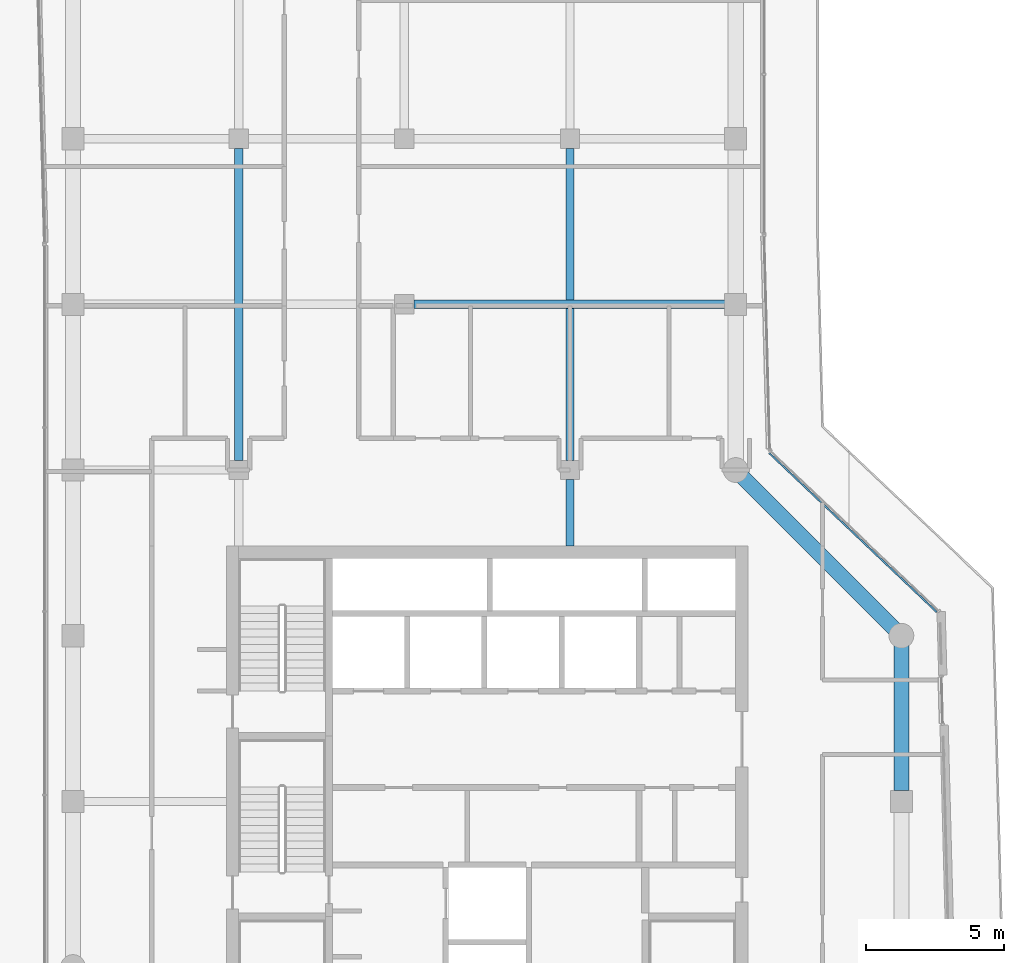
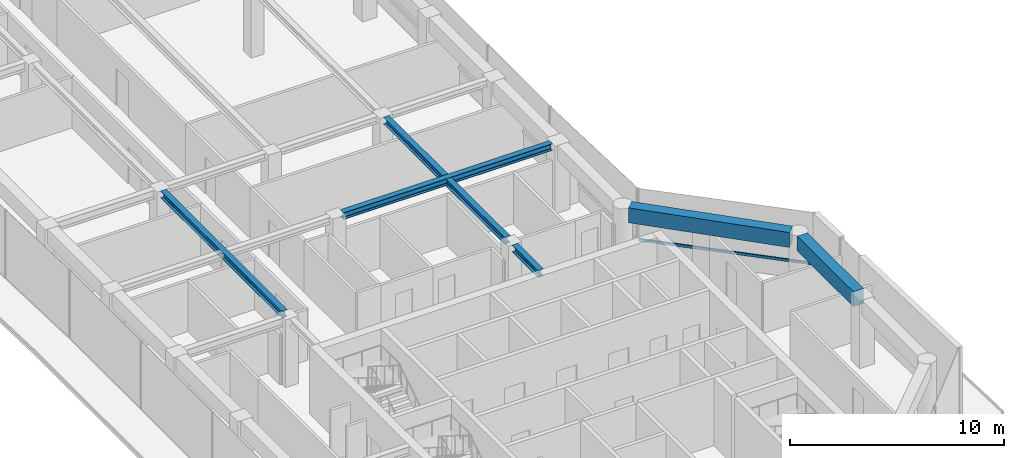
# One storey, part 5 of 20: 6 beams, 1 member, 1 element without a shape of its own.
"""IFC4 building model written with IfcOpenShell, lengths in metres."""

from ifc_helpers import new_model, si_unit, direction, frame, origin, origin_2d, place, context, subcontext, project, spatial, rectangle, i_section, extrude, material, layer, layer_set, material_profile, profile_set, type_object, element, aggregate, save


model = new_model("IFC4")

# Units and contexts
model_context = context("Model", 3, precision=1e-05, world=origin(), true_north=direction((0.0, 1.0)))
body_context = subcontext(model_context, "Body", "Model", "MODEL_VIEW")
ifc_project = project(units=[si_unit("LENGTHUNIT", "METRE"), si_unit("AREAUNIT", "SQUARE_METRE"), si_unit("VOLUMEUNIT", "CUBIC_METRE"), si_unit("PLANEANGLEUNIT", "RADIAN"), si_unit("MASSUNIT", "GRAM", prefix="KILO")], contexts=[model_context])

# Site, building, storey
site_placement = place(None, origin())
site = spatial("IfcSite", under=ifc_project, at=site_placement, CompositionType="ELEMENT")
building_placement = place(site_placement, origin())
building = spatial("IfcBuilding", under=site, at=building_placement, Name="Welwitschia Terrace Campus", CompositionType="ELEMENT")
storey_placement = place(building_placement, frame((0.0, 0.0, 222.199951171875)))
storey = spatial("IfcBuildingStorey", under=building, at=storey_placement, Name="L49", CompositionType="ELEMENT", Elevation=222.199951171875)

# Beams
ifc_material_1 = material(Name="Steel S355", Category="steel")
ifc_material_profile_1 = material_profile(ifc_material_1, i_section(OverallWidth=0.300048828125, OverallDepth=0.389892578125, WebThickness=0.010986328125, FlangeThickness=0.01904296875, FilletRadius=0.027099609375, at=origin_2d()))
ifc_profile_set_1 = profile_set([ifc_material_profile_1], Name="Steel S355")
beam_type_1 = type_object("IfcBeamType", Name="Interior girder HE 400 A", PredefinedType="BEAM", material=ifc_profile_set_1)
beam_1_placement = place(storey_placement, frame((12.3505859375, 34.0, 3.655029296875), z_axis=(1.0, 0.0, 0.0), x_axis=(0.0, 1.0, 0.0)))
element("IfcBeam", 1, at=beam_1_placement, inside=storey, type_object=beam_type_1, Name="Girder GB5", PredefinedType="BEAM", context=body_context, shape_type="SweptSolid", body=[
    extrude(i_section(OverallWidth=0.300048828125, OverallDepth=0.389892578125, WebThickness=0.010986328125, FlangeThickness=0.01904296875, FilletRadius=0.027099609375, at=origin_2d()), origin(), (0.0, 0.0, 1.0), 11.259033203125),
])
beam_2_placement = place(storey_placement, frame((6.0, 28.3505859375, 3.655029296875), z_axis=(0.0, 1.0, 0.0), x_axis=(-1.0, 0.0, 0.0)))
element("IfcBeam", 2, at=beam_2_placement, inside=storey, type_object=beam_type_1, Name="Girder GB5", PredefinedType="BEAM", context=body_context, shape_type="SweptSolid", body=[
    extrude(i_section(OverallWidth=0.300048828125, OverallDepth=0.389892578125, WebThickness=0.010986328125, FlangeThickness=0.01904296875, FilletRadius=0.027099609375, at=origin_2d()), origin(), (0.0, 0.0, 1.0), 11.298828125),
])
beam_3_placement = place(storey_placement, frame((18.0, 25.2509765625, 3.655029296875), z_axis=(0.0, 1.0, 0.0), x_axis=(-1.0, 0.0, 0.0)))
element("IfcBeam", 3, at=beam_3_placement, inside=storey, type_object=beam_type_1, Name="Girder GB5", PredefinedType="BEAM", context=body_context, shape_type="SweptSolid", body=[
    extrude(i_section(OverallWidth=0.300048828125, OverallDepth=0.389892578125, WebThickness=0.010986328125, FlangeThickness=0.01904296875, FilletRadius=0.027099609375, at=origin_2d()), origin(), (0.0, 0.0, 1.0), 2.3984375),
])
beam_4_placement = place(storey_placement, frame((18.0, 28.3505859375, 3.655029296875), z_axis=(0.0, 1.0, 0.0), x_axis=(-1.0, 0.0, 0.0)))
element("IfcBeam", 4, at=beam_4_placement, inside=storey, type_object=beam_type_1, Name="Girder GB5", PredefinedType="BEAM", context=body_context, shape_type="SweptSolid", body=[
    extrude(i_section(OverallWidth=0.300048828125, OverallDepth=0.389892578125, WebThickness=0.010986328125, FlangeThickness=0.01904296875, FilletRadius=0.027099609375, at=origin_2d()), origin(), (0.0, 0.0, 1.0), 11.298828125),
])
ifc_material_2 = material(Name="Concrete C50/60", Category="concrete")
ifc_material_profile_2 = material_profile(ifc_material_2, rectangle(XDim=0.550048828125, YDim=0.85009765625, at=origin_2d()))
ifc_profile_set_2 = profile_set([ifc_material_profile_2], Name="Concrete C50/60")
beam_type_2 = type_object("IfcBeamType", Name="Ring spandrel 550x850", PredefinedType="SPANDREL", material=ifc_profile_set_2)
beam_5_placement = place(storey_placement, frame((30.0, 16.400390625, 3.425048828125), z_axis=(0.0, 1.0, 0.0), x_axis=(-1.0, 0.0, 0.0)))
element("IfcBeam", 5, at=beam_5_placement, inside=storey, type_object=beam_type_2, Name="Spandrel SP3", PredefinedType="SPANDREL", context=body_context, shape_type="SweptSolid", body=[
    extrude(rectangle(XDim=0.550048828125, YDim=0.85009765625, at=origin_2d()), origin(), (0.0, 0.0, 1.0), 5.24267578125),
])
beam_6_placement = place(storey_placement, frame((29.74755859375, 22.25244140625, 3.425048828125), z_axis=(-0.707106781187, 0.707106781187, 0.0), x_axis=(-0.707106781187, -0.707106781187, 0.0)))
element("IfcBeam", 6, at=beam_6_placement, inside=storey, type_object=beam_type_2, Name="Spandrel SP3", PredefinedType="SPANDREL", context=body_context, shape_type="SweptSolid", body=[
    extrude(rectangle(XDim=0.550048828125, YDim=0.85009765625, at=origin_2d()), origin(), (0.0, 0.0, 1.0), 7.771240234375),
])

# Curtain wall, member
ifc_material_3 = material(Name="Bronze anodised aluminium", Category="aluminium")
ifc_layer = layer(ifc_material_3, 0.1201171875)
ifc_layer_set = layer_set([ifc_layer], Name="Bronze anodised aluminium")
curtain_wall_type = type_object("IfcCurtainWallType", Name="Curtain wall CW2 tower 6000", PredefinedType="NOTDEFINED", material=ifc_layer_set)
curtain_wall_placement = place(storey_placement, origin())
curtain_wall = element("IfcCurtainWall", 7, at=curtain_wall_placement, inside=storey, type_object=curtain_wall_type, Name="CW L49.6.0", PredefinedType="NOTDEFINED")
ifc_material_4 = material(Name="Bronze anodised aluminium", Category="aluminium")
ifc_material_profile_3 = material_profile(ifc_material_4, rectangle(XDim=0.06005859375, YDim=0.14990234375, at=origin_2d()))
ifc_profile_set_3 = profile_set([ifc_material_profile_3], Name="Bronze anodised aluminium")
member_type = type_object("IfcMemberType", Name="Transom 60x150", PredefinedType="USERDEFINED", material=ifc_profile_set_3)
member_placement = place(storey_placement, frame((31.2841796875, 22.85400390625, 1.0), z_axis=(-0.725368036879, 0.688361250416, 0.0), x_axis=(-0.688361250416, -0.725368036879, 0.0)))
member = element("IfcMember", 8, at=member_placement, type_object=member_type, Name="Transom L49.6.0", ObjectType="TRANSOM", PredefinedType="USERDEFINED", context=body_context, shape_type="SweptSolid", body=[
    extrude(rectangle(XDim=0.06005859375, YDim=0.14990234375, at=origin_2d()), origin(), (0.0, 0.0, 1.0), 8.365234375),
])
aggregate(curtain_wall, [member])

save(model, "model.ifc")
